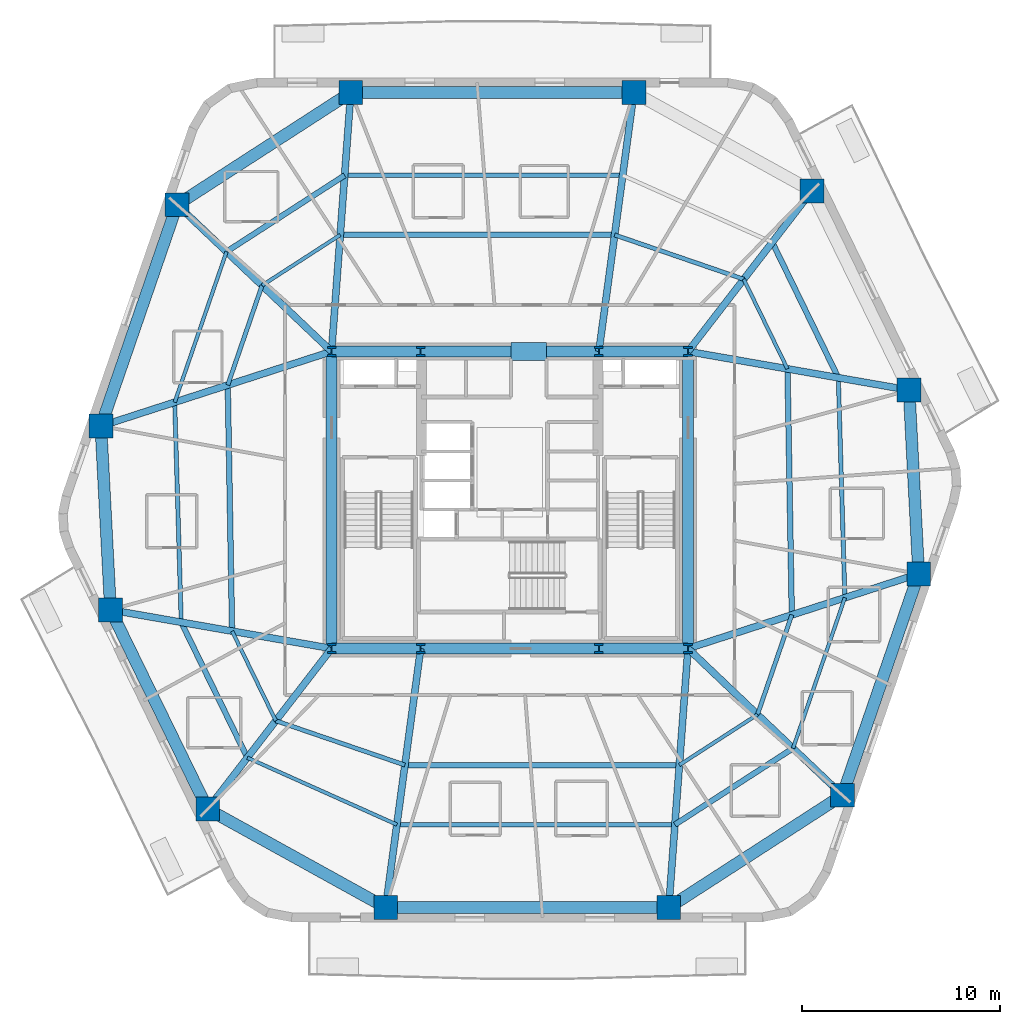
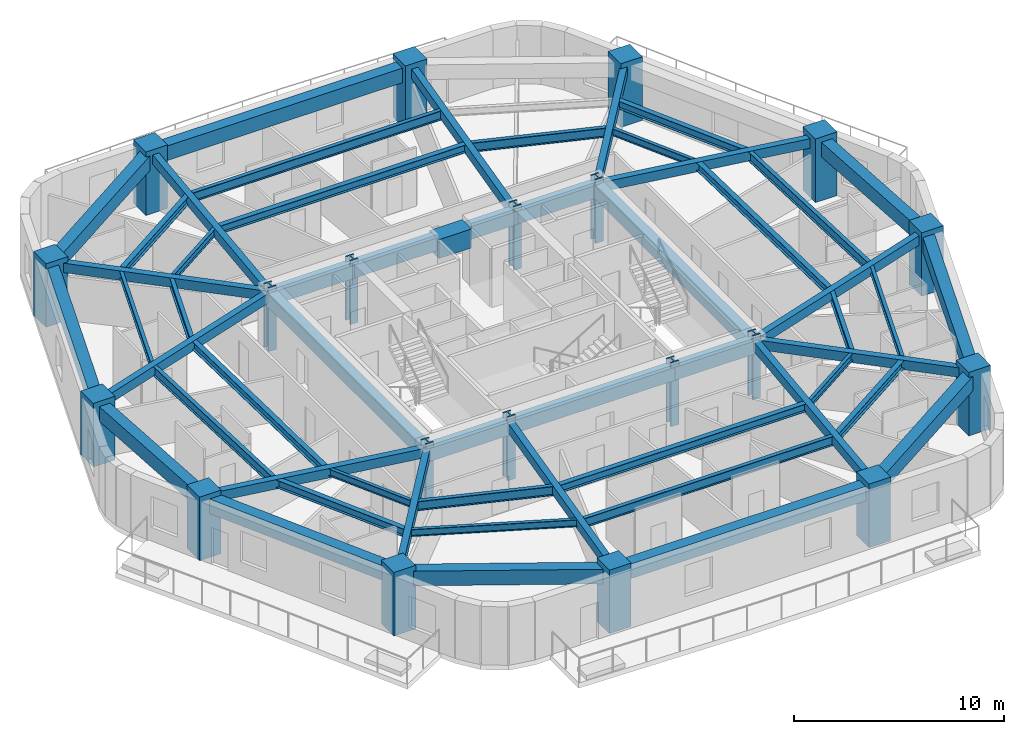
# One storey, part 1 of 10: 54 beams, 20 columns.
"""IFC4 building model written with IfcOpenShell, lengths in metres."""

from ifc_helpers import new_model, si_unit, direction, frame, origin, origin_2d, place, context, subcontext, project, spatial, rectangle, i_section, extrude, material, material_profile, profile_set, type_object, element, save


model = new_model("IFC4")

# Units and contexts
model_context = context("Model", 3, precision=1e-05, world=origin(), true_north=direction((0.0, 1.0)))
body_context = subcontext(model_context, "Body", "Model", "MODEL_VIEW")
ifc_project = project(units=[si_unit("LENGTHUNIT", "METRE"), si_unit("AREAUNIT", "SQUARE_METRE"), si_unit("VOLUMEUNIT", "CUBIC_METRE"), si_unit("PLANEANGLEUNIT", "RADIAN"), si_unit("MASSUNIT", "GRAM", prefix="KILO")], contexts=[model_context])

# Site, building, storey
site_placement = place(None, origin())
site = spatial("IfcSite", under=ifc_project, at=site_placement, CompositionType="ELEMENT")
building_placement = place(site_placement, origin())
building = spatial("IfcBuilding", under=site, at=building_placement, Name="Kilnhurst Terrace Hotel", CompositionType="ELEMENT")
storey_placement = place(building_placement, frame((0.0, 0.0, 95.10009765625)))
storey = spatial("IfcBuildingStorey", under=building, at=storey_placement, Name="L22", CompositionType="ELEMENT", Elevation=95.10009765625)

# Columns
ifc_material_1 = material(Name="Concrete C80/95", Category="concrete")
ifc_material_profile_1 = material_profile(ifc_material_1, rectangle(XDim=1.199951171875, YDim=1.199951171875, at=origin_2d()), Name="RC1200X1200")
ifc_profile_set_1 = profile_set([ifc_material_profile_1], Name="Concrete C80/95")
column_type_1 = type_object("IfcColumnType", Name="COL-RC-1200", PredefinedType="COLUMN", material=ifc_profile_set_1)
for number, where, z_axis, x_axis, name in (
    (1, (-6.26806640625, -20.580078125, 0.0), (0.0, 0.0, 1.0), (1.0, 0.0, 0.0), "L22 Structural Column PC-F11"),
    (2, (8.028076171875, -20.580078125, 0.0), (0.0, 0.0, 1.0), (1.0, 0.0, 0.0), "L22 Structural Column PC-F12"),
    (3, (16.800048828125, -14.910888671875, 0.0), (0.0, 0.0, 1.0), (1.0, 0.0, 0.0), "L22 Structural Column PC-F21"),
    (4, (20.64990234375, -3.73095703125, 0.0), (0.0, 0.0, 1.0), (1.0, 0.0, 0.0), "L22 Structural Column PC-F22"),
    (5, (20.1640625, 5.549072265625, 0.0), (0.0, 0.0, 1.0), (1.0, 0.0, 0.0), "L22 Structural Column PC-F31"),
    (6, (15.257080078125, 15.60888671875, 0.0), (0.0, 0.0, 1.0), (1.0, 0.0, 0.0), "L22 Structural Column PC-F32"),
    (7, (6.26806640625, 20.580078125, 0.0), (0.0, 0.0, 1.0), (1.0, 0.0, 0.0), "L22 Structural Column PC-F41"),
    (8, (-8.028076171875, 20.580078125, 0.0), (0.0, 0.0, 1.0), (1.0, 0.0, 0.0), "L22 Structural Column PC-F42"),
    (9, (-16.800048828125, 14.910888671875, 0.0), (0.0, 0.0, 1.0), (1.0, 0.0, 0.0), "L22 Structural Column PC-F51"),
    (10, (-20.64990234375, 3.73095703125, 0.0), (0.0, 0.0, 1.0), (1.0, 0.0, 0.0), "L22 Structural Column PC-F52"),
    (11, (-20.1640625, -5.549072265625, 0.0), (0.0, 0.0, 1.0), (1.0, 0.0, 0.0), "L22 Structural Column PC-F61"),
    (12, (-15.257080078125, -15.60888671875, 0.0), (0.0, 0.0, 1.0), (1.0, 0.0, 0.0), "L22 Structural Column PC-F62"),
):
    element("IfcColumn", number, at=place(storey_placement, frame(where, z_axis=z_axis, x_axis=x_axis)), inside=storey, type_object=column_type_1, Name=name, PredefinedType="COLUMN", context=body_context, shape_type="SweptSolid", body=[
        extrude(rectangle(XDim=1.199951171875, YDim=1.199951171875, at=origin_2d()), origin(), (0.0, 0.0, 1.0), 3.699951171875),
    ])
ifc_material_2 = material(Name="Steel ASTM A992 Grade 50", Category="steel")
ifc_material_profile_2 = material_profile(ifc_material_2, i_section(OverallWidth=0.43212890625, OverallDepth=0.497802734375, WebThickness=0.0556640625, FlangeThickness=0.0888671875, at=origin_2d()), Name="W14X500")
ifc_profile_set_2 = profile_set([ifc_material_profile_2], Name="Steel ASTM A992 Grade 50")
column_type_2 = type_object("IfcColumnType", Name="COL-STL-W14X500", PredefinedType="COLUMN", material=ifc_profile_set_2)
for number, where, z_axis, x_axis, name in (
    (13, (-9.0, -7.5, 0.0), (0.0, 0.0, 1.0), (1.0, 0.0, 0.0), "L22 Structural Column CC-SW"),
    (14, (-4.5, -7.5, 0.0), (0.0, 0.0, 1.0), (1.0, 0.0, 0.0), "L22 Structural Column CC-SC1"),
    (15, (4.5, -7.5, 0.0), (0.0, 0.0, 1.0), (1.0, 0.0, 0.0), "L22 Structural Column CC-SC2"),
    (16, (9.0, -7.5, 0.0), (0.0, 0.0, 1.0), (1.0, 0.0, 0.0), "L22 Structural Column CC-SE"),
    (17, (9.0, 7.5, 0.0), (0.0, 0.0, 1.0), (1.0, 0.0, 0.0), "L22 Structural Column CC-NE"),
    (18, (4.5, 7.5, 0.0), (0.0, 0.0, 1.0), (1.0, 0.0, 0.0), "L22 Structural Column CC-NC2"),
    (19, (-4.5, 7.5, 0.0), (0.0, 0.0, 1.0), (1.0, 0.0, 0.0), "L22 Structural Column CC-NC1"),
    (20, (-9.0, 7.5, 0.0), (0.0, 0.0, 1.0), (1.0, 0.0, 0.0), "L22 Structural Column CC-NW"),
):
    element("IfcColumn", number, at=place(storey_placement, frame(where, z_axis=z_axis, x_axis=x_axis)), inside=storey, type_object=column_type_2, Name=name, PredefinedType="COLUMN", context=body_context, shape_type="SweptSolid", body=[
        extrude(i_section(OverallWidth=0.43212890625, OverallDepth=0.497802734375, WebThickness=0.0556640625, FlangeThickness=0.0888671875, at=origin_2d()), origin(), (0.0, 0.0, 1.0), 3.699951171875),
    ])

# Beams
ifc_material_3 = material(Name="Concrete C50/60", Category="concrete")
ifc_material_profile_3 = material_profile(ifc_material_3, rectangle(XDim=0.35009765625, YDim=0.550048828125, at=origin_2d()), Name="RC350X550")
ifc_profile_set_3 = profile_set([ifc_material_profile_3], Name="Concrete C50/60")
beam_type_1 = type_object("IfcBeamType", Name="BM-RAD-350X550", PredefinedType="BEAM", material=ifc_profile_set_3)
beam_1_placement = place(storey_placement, frame((-4.5, -7.5, 3.125), z_axis=(-0.133954226177, -0.990987520249, 0.0), x_axis=(0.990987520249, -0.133954226177, 0.0)))
element("IfcBeam", 21, at=beam_1_placement, inside=storey, type_object=beam_type_1, Name="L22 Radial Floor Beam 1", PredefinedType="BEAM", context=body_context, shape_type="SweptSolid", body=[
    extrude(rectangle(XDim=0.35009765625, YDim=0.550048828125, at=origin_2d()), origin(), (0.0, 0.0, 1.0), 13.198974609375),
])
beam_2_placement = place(storey_placement, frame((9.0, -7.5, 3.125), z_axis=(-0.074101371747, -0.997250714066, 0.0), x_axis=(0.997250714066, -0.074101371747, 0.0)))
element("IfcBeam", 22, at=beam_2_placement, inside=storey, type_object=beam_type_1, Name="L22 Radial Floor Beam 2", PredefinedType="BEAM", context=body_context, shape_type="SweptSolid", body=[
    extrude(rectangle(XDim=0.35009765625, YDim=0.550048828125, at=origin_2d()), origin(), (0.0, 0.0, 1.0), 13.1162109375),
])
beam_3_placement = place(storey_placement, frame((9.0, -7.5, 3.125), z_axis=(0.724960341586, -0.688790609059, 0.0), x_axis=(0.688790609059, 0.724960341586, 0.0)))
element("IfcBeam", 23, at=beam_3_placement, inside=storey, type_object=beam_type_1, Name="L22 Radial Floor Beam 3", PredefinedType="BEAM", context=body_context, shape_type="SweptSolid", body=[
    extrude(rectangle(XDim=0.35009765625, YDim=0.550048828125, at=origin_2d()), origin(), (0.0, 0.0, 1.0), 10.75927734375),
])
beam_4_placement = place(storey_placement, frame((9.0, -7.5, 3.125), z_axis=(0.951445549065, 0.307817100182, 0.0), x_axis=(-0.307817100182, 0.951445549065, 0.0)))
element("IfcBeam", 24, at=beam_4_placement, inside=storey, type_object=beam_type_1, Name="L22 Radial Floor Beam 4", PredefinedType="BEAM", context=body_context, shape_type="SweptSolid", body=[
    extrude(rectangle(XDim=0.35009765625, YDim=0.550048828125, at=origin_2d()), origin(), (0.0, 0.0, 1.0), 12.244384765625),
])
beam_5_placement = place(storey_placement, frame((9.0, 7.5, 3.125), z_axis=(0.985072137567, -0.172142045384, 0.0), x_axis=(0.172142045384, 0.985072137567, 0.0)))
element("IfcBeam", 25, at=beam_5_placement, inside=storey, type_object=beam_type_1, Name="L22 Radial Floor Beam 5", PredefinedType="BEAM", context=body_context, shape_type="SweptSolid", body=[
    extrude(rectangle(XDim=0.35009765625, YDim=0.550048828125, at=origin_2d()), origin(), (0.0, 0.0, 1.0), 11.333251953125),
])
beam_6_placement = place(storey_placement, frame((9.0, 7.5, 3.125), z_axis=(0.610904638371, 0.79170418896, 0.0), x_axis=(-0.79170418896, 0.610904638371, 0.0)))
element("IfcBeam", 26, at=beam_6_placement, inside=storey, type_object=beam_type_1, Name="L22 Radial Floor Beam 6", PredefinedType="BEAM", context=body_context, shape_type="SweptSolid", body=[
    extrude(rectangle(XDim=0.35009765625, YDim=0.550048828125, at=origin_2d()), origin(), (0.0, 0.0, 1.0), 10.242431640625),
])
beam_7_placement = place(storey_placement, frame((4.5, 7.5, 3.125), z_axis=(0.133954226177, 0.990987520249, 0.0), x_axis=(-0.990987520249, 0.133954226177, 0.0)))
element("IfcBeam", 27, at=beam_7_placement, inside=storey, type_object=beam_type_1, Name="L22 Radial Floor Beam 7", PredefinedType="BEAM", context=body_context, shape_type="SweptSolid", body=[
    extrude(rectangle(XDim=0.35009765625, YDim=0.550048828125, at=origin_2d()), origin(), (0.0, 0.0, 1.0), 13.198974609375),
])
beam_8_placement = place(storey_placement, frame((-9.0, 7.5, 3.125), z_axis=(0.074101371747, 0.997250714066, 0.0), x_axis=(-0.997250714066, 0.074101371747, 0.0)))
element("IfcBeam", 28, at=beam_8_placement, inside=storey, type_object=beam_type_1, Name="L22 Radial Floor Beam 8", PredefinedType="BEAM", context=body_context, shape_type="SweptSolid", body=[
    extrude(rectangle(XDim=0.35009765625, YDim=0.550048828125, at=origin_2d()), origin(), (0.0, 0.0, 1.0), 13.1162109375),
])
beam_9_placement = place(storey_placement, frame((-9.0, 7.5, 3.125), z_axis=(-0.724960341586, 0.688790609059, 0.0), x_axis=(-0.688790609059, -0.724960341586, 0.0)))
element("IfcBeam", 29, at=beam_9_placement, inside=storey, type_object=beam_type_1, Name="L22 Radial Floor Beam 9", PredefinedType="BEAM", context=body_context, shape_type="SweptSolid", body=[
    extrude(rectangle(XDim=0.35009765625, YDim=0.550048828125, at=origin_2d()), origin(), (0.0, 0.0, 1.0), 10.75927734375),
])
beam_10_placement = place(storey_placement, frame((-9.0, 7.5, 3.125), z_axis=(-0.951445549065, -0.307817100182, 0.0), x_axis=(0.307817100182, -0.951445549065, 0.0)))
element("IfcBeam", 30, at=beam_10_placement, inside=storey, type_object=beam_type_1, Name="L22 Radial Floor Beam 10", PredefinedType="BEAM", context=body_context, shape_type="SweptSolid", body=[
    extrude(rectangle(XDim=0.35009765625, YDim=0.550048828125, at=origin_2d()), origin(), (0.0, 0.0, 1.0), 12.244384765625),
])
beam_11_placement = place(storey_placement, frame((-9.0, -7.5, 3.125), z_axis=(-0.985072137567, 0.172142045384, 0.0), x_axis=(-0.172142045384, -0.985072137567, 0.0)))
element("IfcBeam", 31, at=beam_11_placement, inside=storey, type_object=beam_type_1, Name="L22 Radial Floor Beam 11", PredefinedType="BEAM", context=body_context, shape_type="SweptSolid", body=[
    extrude(rectangle(XDim=0.35009765625, YDim=0.550048828125, at=origin_2d()), origin(), (0.0, 0.0, 1.0), 11.333251953125),
])
beam_12_placement = place(storey_placement, frame((-9.0, -7.5, 3.125), z_axis=(-0.610904638371, -0.79170418896, 0.0), x_axis=(0.79170418896, -0.610904638371, 0.0)))
element("IfcBeam", 32, at=beam_12_placement, inside=storey, type_object=beam_type_1, Name="L22 Radial Floor Beam 12", PredefinedType="BEAM", context=body_context, shape_type="SweptSolid", body=[
    extrude(rectangle(XDim=0.35009765625, YDim=0.550048828125, at=origin_2d()), origin(), (0.0, 0.0, 1.0), 10.242431640625),
])
ifc_material_profile_4 = material_profile(ifc_material_3, rectangle(XDim=0.550048828125, YDim=0.75, at=origin_2d()), Name="RC550X750")
ifc_profile_set_4 = profile_set([ifc_material_profile_4], Name="Concrete C50/60")
beam_type_2 = type_object("IfcBeamType", Name="BM-SPN-550X750", PredefinedType="SPANDREL", material=ifc_profile_set_4)
beam_13_placement = place(storey_placement, frame((-9.0, 7.5, 3.02490234375), z_axis=(1.0, 0.0, 0.0), x_axis=(0.0, 1.0, 0.0)))
element("IfcBeam", 33, at=beam_13_placement, inside=storey, type_object=beam_type_2, Name="L22 Core Tie Beam CC-NW to CC-NC1", PredefinedType="SPANDREL", context=body_context, shape_type="SweptSolid", body=[
    extrude(rectangle(XDim=0.550048828125, YDim=0.75, at=origin_2d()), origin(), (0.0, 0.0, 1.0), 4.5),
])
beam_14_placement = place(storey_placement, frame((-4.5, 7.5, 3.02490234375), z_axis=(1.0, 0.0, 0.0), x_axis=(0.0, 1.0, 0.0)))
element("IfcBeam", 34, at=beam_14_placement, inside=storey, type_object=beam_type_2, Name="L22 Core Tie Beam CC-NC1 to CC-NC2", PredefinedType="SPANDREL", context=body_context, shape_type="SweptSolid", body=[
    extrude(rectangle(XDim=0.550048828125, YDim=0.75, at=origin_2d()), origin(), (0.0, 0.0, 1.0), 9.0),
])
for number, where, z_axis, x_axis, name in (
    (35, (4.5, 7.5, 3.02490234375), (1.0, 0.0, 0.0), (0.0, 1.0, 0.0), "L22 Core Tie Beam CC-NC2 to CC-NE"),
    (36, (-9.0, -7.5, 3.02490234375), (1.0, 0.0, 0.0), (0.0, 1.0, 0.0), "L22 Core Tie Beam CC-SW to CC-SC1"),
):
    element("IfcBeam", number, at=place(storey_placement, frame(where, z_axis=z_axis, x_axis=x_axis)), inside=storey, type_object=beam_type_2, Name=name, PredefinedType="SPANDREL", context=body_context, shape_type="SweptSolid", body=[
        extrude(rectangle(XDim=0.550048828125, YDim=0.75, at=origin_2d()), origin(), (0.0, 0.0, 1.0), 4.5),
    ])
beam_15_placement = place(storey_placement, frame((-4.5, -7.5, 3.02490234375), z_axis=(1.0, 0.0, 0.0), x_axis=(0.0, 1.0, 0.0)))
element("IfcBeam", 37, at=beam_15_placement, inside=storey, type_object=beam_type_2, Name="L22 Core Tie Beam CC-SC1 to CC-SC2", PredefinedType="SPANDREL", context=body_context, shape_type="SweptSolid", body=[
    extrude(rectangle(XDim=0.550048828125, YDim=0.75, at=origin_2d()), origin(), (0.0, 0.0, 1.0), 9.0),
])
beam_16_placement = place(storey_placement, frame((4.5, -7.5, 3.02490234375), z_axis=(1.0, 0.0, 0.0), x_axis=(0.0, 1.0, 0.0)))
element("IfcBeam", 38, at=beam_16_placement, inside=storey, type_object=beam_type_2, Name="L22 Core Tie Beam CC-SC2 to CC-SE", PredefinedType="SPANDREL", context=body_context, shape_type="SweptSolid", body=[
    extrude(rectangle(XDim=0.550048828125, YDim=0.75, at=origin_2d()), origin(), (0.0, 0.0, 1.0), 4.5),
])
for number, where, z_axis, x_axis, name in (
    (39, (-9.0, -7.5, 3.02490234375), (0.0, 1.0, 0.0), (-1.0, 0.0, 0.0), "L22 Core Tie Beam CC-SW to CC-NW"),
    (40, (9.0, -7.5, 3.02490234375), (0.0, 1.0, 0.0), (-1.0, 0.0, 0.0), "L22 Core Tie Beam CC-SE to CC-NE"),
):
    element("IfcBeam", number, at=place(storey_placement, frame(where, z_axis=z_axis, x_axis=x_axis)), inside=storey, type_object=beam_type_2, Name=name, PredefinedType="SPANDREL", context=body_context, shape_type="SweptSolid", body=[
        extrude(rectangle(XDim=0.550048828125, YDim=0.75, at=origin_2d()), origin(), (0.0, 0.0, 1.0), 15.0),
    ])
ifc_material_profile_5 = material_profile(ifc_material_3, rectangle(XDim=0.60009765625, YDim=0.85009765625, at=origin_2d()), Name="RC600X850")
ifc_profile_set_5 = profile_set([ifc_material_profile_5], Name="Concrete C50/60")
beam_type_3 = type_object("IfcBeamType", Name="BM-SPN-600X850", PredefinedType="SPANDREL", material=ifc_profile_set_5)
beam_17_placement = place(storey_placement, frame((-6.26806640625, -20.580078125, 2.974853515625), z_axis=(1.0, 0.0, 0.0), x_axis=(0.0, 1.0, 0.0)))
element("IfcBeam", 41, at=beam_17_placement, inside=storey, type_object=beam_type_3, Name="L22 Perimeter Spandrel Beam 1", PredefinedType="SPANDREL", context=body_context, shape_type="SweptSolid", body=[
    extrude(rectangle(XDim=0.60009765625, YDim=0.85009765625, at=origin_2d()), origin(), (0.0, 0.0, 1.0), 14.296142578125),
])
beam_18_placement = place(storey_placement, frame((8.028076171875, -20.580078125, 2.974853515625), z_axis=(0.839866667472, 0.542792760517, 0.0), x_axis=(-0.542792760517, 0.839866667472, 0.0)))
element("IfcBeam", 42, at=beam_18_placement, inside=storey, type_object=beam_type_3, Name="L22 Perimeter Spandrel Beam 2", PredefinedType="SPANDREL", context=body_context, shape_type="SweptSolid", body=[
    extrude(rectangle(XDim=0.60009765625, YDim=0.85009765625, at=origin_2d()), origin(), (0.0, 0.0, 1.0), 10.444580078125),
])
beam_19_placement = place(storey_placement, frame((16.800048828125, -14.910888671875, 2.974853515625), z_axis=(0.325590408593, 0.945510912593, 0.0), x_axis=(-0.945510912593, 0.325590408593, 0.0)))
element("IfcBeam", 43, at=beam_19_placement, inside=storey, type_object=beam_type_3, Name="L22 Perimeter Spandrel Beam 3", PredefinedType="SPANDREL", context=body_context, shape_type="SweptSolid", body=[
    extrude(rectangle(XDim=0.60009765625, YDim=0.85009765625, at=origin_2d()), origin(), (0.0, 0.0, 1.0), 11.82421875),
])
beam_20_placement = place(storey_placement, frame((20.64990234375, -3.73095703125, 2.974853515625), z_axis=(-0.052281666706, 0.998632378469, 0.0), x_axis=(-0.998632378469, -0.052281666706, 0.0)))
element("IfcBeam", 44, at=beam_20_placement, inside=storey, type_object=beam_type_3, Name="L22 Perimeter Spandrel Beam 4", PredefinedType="SPANDREL", context=body_context, shape_type="SweptSolid", body=[
    extrude(rectangle(XDim=0.60009765625, YDim=0.85009765625, at=origin_2d()), origin(), (0.0, 0.0, 1.0), 9.292724609375),
])
beam_21_placement = place(storey_placement, frame((6.26806640625, 20.580078125, 2.974853515625), z_axis=(-1.0, 0.0, 0.0), x_axis=(0.0, -1.0, 0.0)))
element("IfcBeam", 45, at=beam_21_placement, inside=storey, type_object=beam_type_3, Name="L22 Perimeter Spandrel Beam 7", PredefinedType="SPANDREL", context=body_context, shape_type="SweptSolid", body=[
    extrude(rectangle(XDim=0.60009765625, YDim=0.85009765625, at=origin_2d()), origin(), (0.0, 0.0, 1.0), 14.296142578125),
])
beam_22_placement = place(storey_placement, frame((-8.028076171875, 20.580078125, 2.974853515625), z_axis=(-0.839866667472, -0.542792760517, 0.0), x_axis=(0.542792760517, -0.839866667472, 0.0)))
element("IfcBeam", 46, at=beam_22_placement, inside=storey, type_object=beam_type_3, Name="L22 Perimeter Spandrel Beam 8", PredefinedType="SPANDREL", context=body_context, shape_type="SweptSolid", body=[
    extrude(rectangle(XDim=0.60009765625, YDim=0.85009765625, at=origin_2d()), origin(), (0.0, 0.0, 1.0), 10.444580078125),
])
beam_23_placement = place(storey_placement, frame((-16.800048828125, 14.910888671875, 2.974853515625), z_axis=(-0.325590408593, -0.945510912593, 0.0), x_axis=(0.945510912593, -0.325590408593, 0.0)))
element("IfcBeam", 47, at=beam_23_placement, inside=storey, type_object=beam_type_3, Name="L22 Perimeter Spandrel Beam 9", PredefinedType="SPANDREL", context=body_context, shape_type="SweptSolid", body=[
    extrude(rectangle(XDim=0.60009765625, YDim=0.85009765625, at=origin_2d()), origin(), (0.0, 0.0, 1.0), 11.82421875),
])
beam_24_placement = place(storey_placement, frame((-20.64990234375, 3.73095703125, 2.974853515625), z_axis=(0.052281666706, -0.998632378469, 0.0), x_axis=(0.998632378469, 0.052281666706, 0.0)))
element("IfcBeam", 48, at=beam_24_placement, inside=storey, type_object=beam_type_3, Name="L22 Perimeter Spandrel Beam 10", PredefinedType="SPANDREL", context=body_context, shape_type="SweptSolid", body=[
    extrude(rectangle(XDim=0.60009765625, YDim=0.85009765625, at=origin_2d()), origin(), (0.0, 0.0, 1.0), 9.292724609375),
])
beam_25_placement = place(storey_placement, frame((-20.1640625, -5.549072265625, 2.974853515625), z_axis=(0.438406012271, -0.89877704043, 0.0), x_axis=(0.89877704043, 0.438406012271, 0.0)))
element("IfcBeam", 49, at=beam_25_placement, inside=storey, type_object=beam_type_3, Name="L22 Perimeter Spandrel Beam 11", PredefinedType="SPANDREL", context=body_context, shape_type="SweptSolid", body=[
    extrude(rectangle(XDim=0.60009765625, YDim=0.85009765625, at=origin_2d()), origin(), (0.0, 0.0, 1.0), 11.19287109375),
])
beam_26_placement = place(storey_placement, frame((-15.257080078125, -15.60888671875, 2.974853515625), z_axis=(0.875094010429, -0.483952965598, 0.0), x_axis=(0.483952965598, 0.875094010429, 0.0)))
element("IfcBeam", 50, at=beam_26_placement, inside=storey, type_object=beam_type_3, Name="L22 Perimeter Spandrel Beam 12", PredefinedType="SPANDREL", context=body_context, shape_type="SweptSolid", body=[
    extrude(rectangle(XDim=0.60009765625, YDim=0.85009765625, at=origin_2d()), origin(), (0.0, 0.0, 1.0), 10.27197265625),
])
ifc_material_profile_6 = material_profile(ifc_material_2, i_section(OverallWidth=0.180908203125, OverallDepth=0.417236328125, WebThickness=0.010986328125, FlangeThickness=0.018310546875, at=origin_2d()), Name="W16X57")
ifc_profile_set_6 = profile_set([ifc_material_profile_6], Name="Steel ASTM A992 Grade 50")
beam_type_4 = type_object("IfcBeamType", Name="JST-STL-W16X57", PredefinedType="JOIST", material=ifc_profile_set_6)
for number, where, z_axis, x_axis, name in (
    (51, (14.303955078125, -12.53955078125, 3.19091796875), (0.325612620381, 0.945503263584, 0.0), (-0.945503263584, 0.325612620381, 0.0), "L22 Secondary Floor Steel Joist OUT.3"),
    (52, (-14.303955078125, 12.53955078125, 3.19091796875), (-0.325612620381, -0.945503263584, 0.0), (0.945503263584, -0.325612620381, 0.0), "L22 Secondary Floor Steel Joist OUT.9"),
):
    element("IfcBeam", number, at=place(storey_placement, frame(where, z_axis=z_axis, x_axis=x_axis)), inside=storey, type_object=beam_type_4, Name=name, PredefinedType="JOIST", context=body_context, shape_type="SweptSolid", body=[
        extrude(i_section(OverallWidth=0.180908203125, OverallDepth=0.417236328125, WebThickness=0.010986328125, FlangeThickness=0.018310546875, at=origin_2d()), origin(), (0.0, 0.0, 1.0), 8.040771484375),
    ])
beam_27_placement = place(storey_placement, frame((-13.2548828125, -13.01416015625, 3.19091796875), z_axis=(0.912760935806, -0.408494154262, 0.0), x_axis=(0.408494154262, 0.912760935806, 0.0)))
element("IfcBeam", 53, at=beam_27_placement, inside=storey, type_object=beam_type_4, Name="L22 Secondary Floor Steel Joist OUT.12", PredefinedType="JOIST", context=body_context, shape_type="SweptSolid", body=[
    extrude(i_section(OverallWidth=0.180908203125, OverallDepth=0.417236328125, WebThickness=0.010986328125, FlangeThickness=0.018310546875, at=origin_2d()), origin(), (0.0, 0.0, 1.0), 8.274658203125),
])
beam_28_placement = place(storey_placement, frame((8.5625, -13.385986328125, 3.19091796875), z_axis=(0.839884974974, 0.542764432155, 0.0), x_axis=(-0.542764432155, 0.839884974974, 0.0)))
element("IfcBeam", 54, at=beam_28_placement, inside=storey, type_object=beam_type_4, Name="L22 Secondary Floor Steel Joist IN.2", PredefinedType="JOIST", context=body_context, shape_type="SweptSolid", body=[
    extrude(i_section(OverallWidth=0.180908203125, OverallDepth=0.417236328125, WebThickness=0.010986328125, FlangeThickness=0.018310546875, at=origin_2d()), origin(), (0.0, 0.0, 1.0), 4.699951171875),
])
beam_29_placement = place(storey_placement, frame((14.023681640625, 6.6220703125, 3.19091796875), z_axis=(-0.438389251087, 0.898785216017, 0.0), x_axis=(-0.898785216017, -0.438389251087, 0.0)))
element("IfcBeam", 55, at=beam_29_placement, inside=storey, type_object=beam_type_4, Name="L22 Secondary Floor Steel Joist IN.5", PredefinedType="JOIST", context=body_context, shape_type="SweptSolid", body=[
    extrude(i_section(OverallWidth=0.180908203125, OverallDepth=0.417236328125, WebThickness=0.010986328125, FlangeThickness=0.018310546875, at=origin_2d()), origin(), (0.0, 0.0, 1.0), 5.03662109375),
])
beam_30_placement = place(storey_placement, frame((-8.5625, 13.385986328125, 3.19091796875), z_axis=(-0.839884974974, -0.542764432155, 0.0), x_axis=(0.542764432155, -0.839884974974, 0.0)))
element("IfcBeam", 56, at=beam_30_placement, inside=storey, type_object=beam_type_4, Name="L22 Secondary Floor Steel Joist IN.8", PredefinedType="JOIST", context=body_context, shape_type="SweptSolid", body=[
    extrude(i_section(OverallWidth=0.180908203125, OverallDepth=0.417236328125, WebThickness=0.010986328125, FlangeThickness=0.018310546875, at=origin_2d()), origin(), (0.0, 0.0, 1.0), 4.699951171875),
])
beam_31_placement = place(storey_placement, frame((-14.023681640625, -6.6220703125, 3.19091796875), z_axis=(0.438389251087, -0.898785216017, 0.0), x_axis=(0.898785216017, 0.438389251087, 0.0)))
element("IfcBeam", 57, at=beam_31_placement, inside=storey, type_object=beam_type_4, Name="L22 Secondary Floor Steel Joist IN.11", PredefinedType="JOIST", context=body_context, shape_type="SweptSolid", body=[
    extrude(i_section(OverallWidth=0.180908203125, OverallDepth=0.417236328125, WebThickness=0.010986328125, FlangeThickness=0.018310546875, at=origin_2d()), origin(), (0.0, 0.0, 1.0), 5.03662109375),
])
ifc_material_profile_7 = material_profile(ifc_material_2, i_section(OverallWidth=0.279296875, OverallDepth=0.462890625, WebThickness=0.0107421875, FlangeThickness=0.017333984375, at=origin_2d()), Name="W18X76")
ifc_profile_set_7 = profile_set([ifc_material_profile_7], Name="Steel ASTM A992 Grade 50")
beam_type_5 = type_object("IfcBeamType", Name="JST-STL-W18X76", PredefinedType="JOIST", material=ifc_profile_set_7)
beam_32_placement = place(storey_placement, frame((8.339111328125, -16.394287109375, 3.16796875), z_axis=(0.839882675086, 0.542767991034, 0.0), x_axis=(-0.542767991034, 0.839882675086, 0.0)))
element("IfcBeam", 58, at=beam_32_placement, inside=storey, type_object=beam_type_5, Name="L22 Secondary Floor Steel Joist OUT.2", PredefinedType="JOIST", context=body_context, shape_type="SweptSolid", body=[
    extrude(i_section(OverallWidth=0.279296875, OverallDepth=0.462890625, WebThickness=0.0107421875, FlangeThickness=0.017333984375, at=origin_2d()), origin(), (0.0, 0.0, 1.0), 7.10205078125),
])
beam_33_placement = place(storey_placement, frame((16.591552734375, 6.17333984375, 3.16796875), z_axis=(-0.438390137084, 0.898784783865, 0.0), x_axis=(-0.898784783865, -0.438390137084, 0.0)))
element("IfcBeam", 59, at=beam_33_placement, inside=storey, type_object=beam_type_5, Name="L22 Secondary Floor Steel Joist OUT.5", PredefinedType="JOIST", context=body_context, shape_type="SweptSolid", body=[
    extrude(i_section(OverallWidth=0.279296875, OverallDepth=0.462890625, WebThickness=0.0107421875, FlangeThickness=0.017333984375, at=origin_2d()), origin(), (0.0, 0.0, 1.0), 7.611083984375),
])
beam_34_placement = place(storey_placement, frame((-8.339111328125, 16.394287109375, 3.16796875), z_axis=(-0.839882675086, -0.542767991034, 0.0), x_axis=(0.542767991034, -0.839882675086, 0.0)))
element("IfcBeam", 60, at=beam_34_placement, inside=storey, type_object=beam_type_5, Name="L22 Secondary Floor Steel Joist OUT.8", PredefinedType="JOIST", context=body_context, shape_type="SweptSolid", body=[
    extrude(i_section(OverallWidth=0.279296875, OverallDepth=0.462890625, WebThickness=0.0107421875, FlangeThickness=0.017333984375, at=origin_2d()), origin(), (0.0, 0.0, 1.0), 7.10205078125),
])
beam_35_placement = place(storey_placement, frame((-16.591552734375, -6.17333984375, 3.16796875), z_axis=(0.438390137084, -0.898784783865, 0.0), x_axis=(0.898784783865, 0.438390137084, 0.0)))
element("IfcBeam", 61, at=beam_35_placement, inside=storey, type_object=beam_type_5, Name="L22 Secondary Floor Steel Joist OUT.11", PredefinedType="JOIST", context=body_context, shape_type="SweptSolid", body=[
    extrude(i_section(OverallWidth=0.279296875, OverallDepth=0.462890625, WebThickness=0.0107421875, FlangeThickness=0.017333984375, at=origin_2d()), origin(), (0.0, 0.0, 1.0), 7.611083984375),
])
beam_36_placement = place(storey_placement, frame((-5.295654296875, -13.385986328125, 3.16796875), z_axis=(1.0, 0.0, 0.0), x_axis=(0.0, 1.0, 0.0)))
element("IfcBeam", 62, at=beam_36_placement, inside=storey, type_object=beam_type_5, Name="L22 Secondary Floor Steel Joist IN.1", PredefinedType="JOIST", context=body_context, shape_type="SweptSolid", body=[
    extrude(i_section(OverallWidth=0.279296875, OverallDepth=0.462890625, WebThickness=0.0107421875, FlangeThickness=0.017333984375, at=origin_2d()), origin(), (0.0, 0.0, 1.0), 13.858154296875),
])
beam_37_placement = place(storey_placement, frame((14.242431640625, -5.803955078125, 3.16796875), z_axis=(-0.017601453796, 0.999845082412, 0.0), x_axis=(-0.999845082412, -0.017601453796, 0.0)))
element("IfcBeam", 63, at=beam_37_placement, inside=storey, type_object=beam_type_5, Name="L22 Secondary Floor Steel Joist IN.4", PredefinedType="JOIST", context=body_context, shape_type="SweptSolid", body=[
    extrude(i_section(OverallWidth=0.279296875, OverallDepth=0.462890625, WebThickness=0.0107421875, FlangeThickness=0.017333984375, at=origin_2d()), origin(), (0.0, 0.0, 1.0), 12.427978515625),
])
beam_38_placement = place(storey_placement, frame((5.295654296875, 13.385986328125, 3.16796875), z_axis=(-1.0, 0.0, 0.0), x_axis=(0.0, -1.0, 0.0)))
element("IfcBeam", 64, at=beam_38_placement, inside=storey, type_object=beam_type_5, Name="L22 Secondary Floor Steel Joist IN.7", PredefinedType="JOIST", context=body_context, shape_type="SweptSolid", body=[
    extrude(i_section(OverallWidth=0.279296875, OverallDepth=0.462890625, WebThickness=0.0107421875, FlangeThickness=0.017333984375, at=origin_2d()), origin(), (0.0, 0.0, 1.0), 13.858154296875),
])
beam_39_placement = place(storey_placement, frame((-14.242431640625, 5.803955078125, 3.16796875), z_axis=(0.017601453796, -0.999845082412, 0.0), x_axis=(0.999845082412, 0.017601453796, 0.0)))
element("IfcBeam", 65, at=beam_39_placement, inside=storey, type_object=beam_type_5, Name="L22 Secondary Floor Steel Joist IN.10", PredefinedType="JOIST", context=body_context, shape_type="SweptSolid", body=[
    extrude(i_section(OverallWidth=0.279296875, OverallDepth=0.462890625, WebThickness=0.0107421875, FlangeThickness=0.017333984375, at=origin_2d()), origin(), (0.0, 0.0, 1.0), 12.427978515625),
])
ifc_material_profile_8 = material_profile(ifc_material_2, i_section(OverallWidth=0.2138671875, OverallDepth=0.549072265625, WebThickness=0.0146484375, FlangeThickness=0.023681640625, at=origin_2d()), Name="W21X93")
ifc_profile_set_8 = profile_set([ifc_material_profile_8], Name="Steel ASTM A992 Grade 50")
beam_type_6 = type_object("IfcBeamType", Name="JST-STL-W21X93", PredefinedType="JOIST", material=ifc_profile_set_8)
beam_40_placement = place(storey_placement, frame((-5.7021484375, -16.394287109375, 3.125), z_axis=(1.0, 0.0, 0.0), x_axis=(0.0, 1.0, 0.0)))
element("IfcBeam", 66, at=beam_40_placement, inside=storey, type_object=beam_type_6, Name="L22 Secondary Floor Steel Joist OUT.1", PredefinedType="JOIST", context=body_context, shape_type="SweptSolid", body=[
    extrude(i_section(OverallWidth=0.2138671875, OverallDepth=0.549072265625, WebThickness=0.0146484375, FlangeThickness=0.023681640625, at=origin_2d()), origin(), (0.0, 0.0, 1.0), 14.041259765625),
])
beam_41_placement = place(storey_placement, frame((16.922119140625, -4.93701171875, 3.125), z_axis=(-0.029739849895, 0.999557672837, 0.0), x_axis=(-0.999557672837, -0.029739849895, 0.0)))
element("IfcBeam", 67, at=beam_41_placement, inside=storey, type_object=beam_type_6, Name="L22 Secondary Floor Steel Joist OUT.4", PredefinedType="JOIST", context=body_context, shape_type="SweptSolid", body=[
    extrude(i_section(OverallWidth=0.2138671875, OverallDepth=0.549072265625, WebThickness=0.0146484375, FlangeThickness=0.023681640625, at=origin_2d()), origin(), (0.0, 0.0, 1.0), 11.115234375),
])
beam_42_placement = place(storey_placement, frame((5.7021484375, 16.394287109375, 3.125), z_axis=(-1.0, 0.0, 0.0), x_axis=(0.0, -1.0, 0.0)))
element("IfcBeam", 68, at=beam_42_placement, inside=storey, type_object=beam_type_6, Name="L22 Secondary Floor Steel Joist OUT.7", PredefinedType="JOIST", context=body_context, shape_type="SweptSolid", body=[
    extrude(i_section(OverallWidth=0.2138671875, OverallDepth=0.549072265625, WebThickness=0.0146484375, FlangeThickness=0.023681640625, at=origin_2d()), origin(), (0.0, 0.0, 1.0), 14.041259765625),
])
beam_43_placement = place(storey_placement, frame((-16.922119140625, 4.93701171875, 3.125), z_axis=(0.029739849895, -0.999557672837, 0.0), x_axis=(0.999557672837, 0.029739849895, 0.0)))
element("IfcBeam", 69, at=beam_43_placement, inside=storey, type_object=beam_type_6, Name="L22 Secondary Floor Steel Joist OUT.10", PredefinedType="JOIST", context=body_context, shape_type="SweptSolid", body=[
    extrude(i_section(OverallWidth=0.2138671875, OverallDepth=0.549072265625, WebThickness=0.0146484375, FlangeThickness=0.023681640625, at=origin_2d()), origin(), (0.0, 0.0, 1.0), 11.115234375),
])
beam_44_placement = place(storey_placement, frame((12.510009765625, -10.8349609375, 3.125), z_axis=(0.325586238877, 0.945512348441, 0.0), x_axis=(-0.945512348441, 0.325586238877, 0.0)))
element("IfcBeam", 70, at=beam_44_placement, inside=storey, type_object=beam_type_6, Name="L22 Secondary Floor Steel Joist IN.3", PredefinedType="JOIST", context=body_context, shape_type="SweptSolid", body=[
    extrude(i_section(OverallWidth=0.2138671875, OverallDepth=0.549072265625, WebThickness=0.0146484375, FlangeThickness=0.023681640625, at=origin_2d()), origin(), (0.0, 0.0, 1.0), 5.321044921875),
])
beam_45_placement = place(storey_placement, frame((11.815673828125, 11.14892578125, 3.125), z_axis=(-0.945873585837, 0.324535297949, 0.0), x_axis=(-0.324535297949, -0.945873585837, 0.0)))
element("IfcBeam", 71, at=beam_45_placement, inside=storey, type_object=beam_type_6, Name="L22 Secondary Floor Steel Joist IN.6", PredefinedType="JOIST", context=body_context, shape_type="SweptSolid", body=[
    extrude(i_section(OverallWidth=0.2138671875, OverallDepth=0.549072265625, WebThickness=0.0146484375, FlangeThickness=0.023681640625, at=origin_2d()), origin(), (0.0, 0.0, 1.0), 6.89306640625),
])
beam_46_placement = place(storey_placement, frame((-12.510009765625, 10.8349609375, 3.125), z_axis=(-0.325586238877, -0.945512348441, 0.0), x_axis=(0.945512348441, -0.325586238877, 0.0)))
element("IfcBeam", 72, at=beam_46_placement, inside=storey, type_object=beam_type_6, Name="L22 Secondary Floor Steel Joist IN.9", PredefinedType="JOIST", context=body_context, shape_type="SweptSolid", body=[
    extrude(i_section(OverallWidth=0.2138671875, OverallDepth=0.549072265625, WebThickness=0.0146484375, FlangeThickness=0.023681640625, at=origin_2d()), origin(), (0.0, 0.0, 1.0), 5.321044921875),
])
beam_47_placement = place(storey_placement, frame((-11.815673828125, -11.14892578125, 3.125), z_axis=(0.945873585837, -0.324535297949, 0.0), x_axis=(0.324535297949, 0.945873585837, 0.0)))
element("IfcBeam", 73, at=beam_47_placement, inside=storey, type_object=beam_type_6, Name="L22 Secondary Floor Steel Joist IN.12", PredefinedType="JOIST", context=body_context, shape_type="SweptSolid", body=[
    extrude(i_section(OverallWidth=0.2138671875, OverallDepth=0.549072265625, WebThickness=0.0146484375, FlangeThickness=0.023681640625, at=origin_2d()), origin(), (0.0, 0.0, 1.0), 6.89306640625),
])
ifc_material_profile_9 = material_profile(ifc_material_1, rectangle(XDim=0.89990234375, YDim=1.10009765625, at=origin_2d()), Name="RC900X1100")
ifc_profile_set_9 = profile_set([ifc_material_profile_9], Name="Concrete C80/95")
beam_type_7 = type_object("IfcBeamType", Name="LNT-CB-900X1100", PredefinedType="LINTEL", material=ifc_profile_set_9)
beam_48_placement = place(storey_placement, frame((0.050048828125, 7.5, 2.849853515625), z_axis=(1.0, 0.0, 0.0), x_axis=(0.0, 1.0, 0.0)))
element("IfcBeam", 74, at=beam_48_placement, inside=storey, type_object=beam_type_7, Name="L22 North Core Coupling Link Beam", PredefinedType="LINTEL", context=body_context, shape_type="SweptSolid", body=[
    extrude(rectangle(XDim=0.89990234375, YDim=1.10009765625, at=origin_2d()), origin(), (0.0, 0.0, 1.0), 1.800048828125),
])

save(model, "model.ifc")
